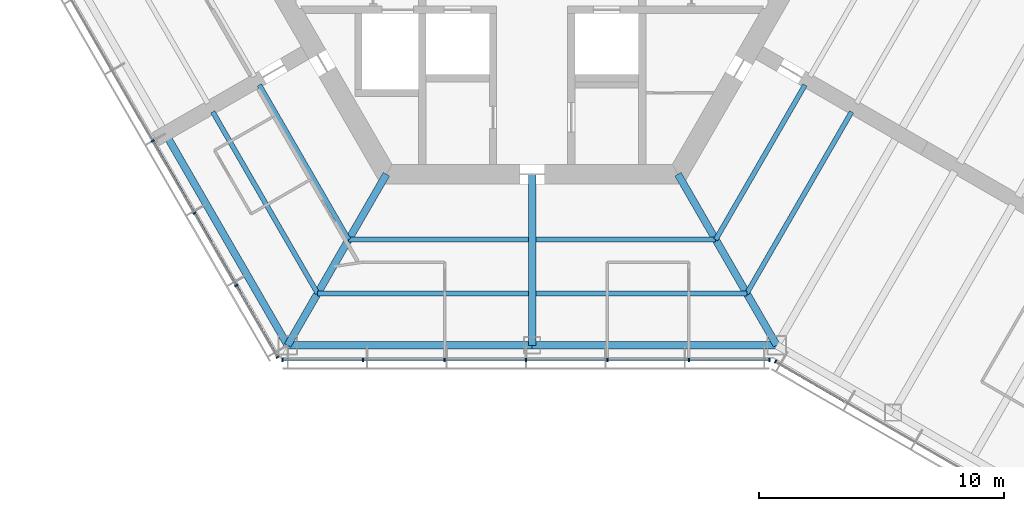
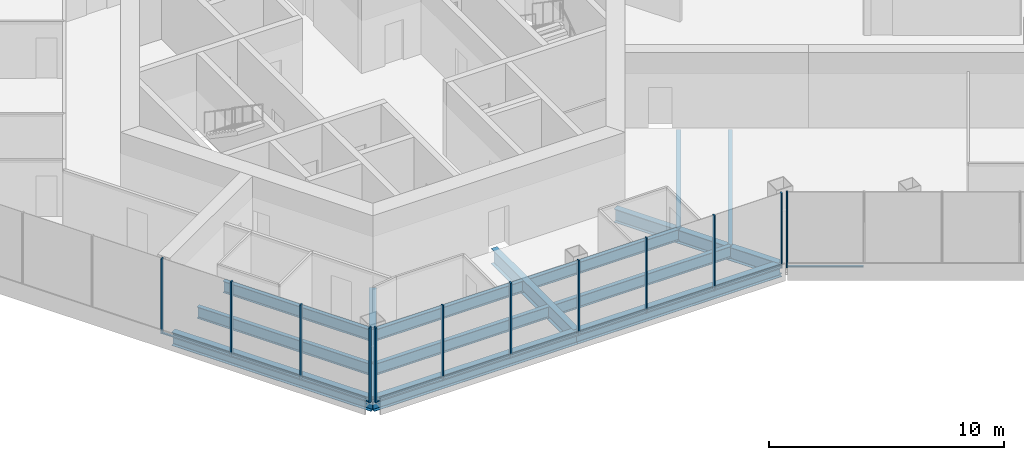
# One storey, part 2 of 16: 22 members, 14 beams, 3 elements without a shape of their own.
"""IFC4 building model written with IfcOpenShell, lengths in metres."""

import ifcopenshell
import ifcopenshell.guid

model = None  # the IFC model being written
_history = None  # IfcOwnerHistory: only IFC2X3 demands one
_inside = {}  # id of a spatial element -> (the spatial element, [elements in it])
_under = {}  # id of a project, library or spatial element -> (it, [spatial elements below it])
_declared = {}  # id of a project -> (the project, [libraries it declares])
_typed = {}  # id of a type object -> (the type object, [elements of that type])
_made_of = {}  # id of a material, layer set ... -> (it, [elements and type objects made of it])


def new_model(schema):
    """Start an empty IFC model of exactly this schema.

    Asked for "IFC4X3", IfcOpenShell would pick the latest addendum, in which some entities
    have other attributes; the version numbers below select the first issue.
    IFC2X3 requires an IfcOwnerHistory on every rooted entity: one is made here for all.
    """
    global model, _history
    if schema == "IFC4X3":
        model = ifcopenshell.file(schema_version=(4, 3, 0, 0))
    else:
        model = ifcopenshell.file(schema=schema)
    _inside.clear()
    _under.clear()
    _declared.clear()
    _typed.clear()
    _made_of.clear()
    _history = None
    if model.schema == "IFC2X3":
        org = make("IfcOrganization", Name="unknown")
        user = make(
            "IfcPersonAndOrganization",
            ThePerson=make("IfcPerson", FamilyName="unknown"),
            TheOrganization=org,
        )
        app = make(
            "IfcApplication",
            ApplicationDeveloper=org,
            Version="unknown",
            ApplicationFullName="unknown",
            ApplicationIdentifier="unknown",
        )
        _history = make(
            "IfcOwnerHistory",
            OwningUser=user,
            OwningApplication=app,
            ChangeAction="ADDED",
            CreationDate=0,
        )
    return model


def make(cls, **values):
    """One entity of the class cls with the attributes given. An attribute that is None is left unset."""
    return model.create_entity(
        cls, **{name: value for name, value in values.items() if value is not None}
    )


def rooted(cls, **values):
    """An entity with a GlobalId (a new one), such as an element, a storey or a relation."""
    return make(cls, GlobalId=ifcopenshell.guid.new(), OwnerHistory=_history, **values)


def si_unit(unit_type, name, prefix=None):
    """IfcSIUnit, for example si_unit("LENGTHUNIT", "METRE", prefix="MILLI")."""
    return make("IfcSIUnit", UnitType=unit_type, Prefix=prefix, Name=name)


def assignment(units):
    """IfcUnitAssignment: the units of a project."""
    return None if units is None else make("IfcUnitAssignment", Units=units)


def point(xyz):
    """IfcCartesianPoint."""
    return None if xyz is None else make("IfcCartesianPoint", Coordinates=xyz)


def direction(xyz):
    """IfcDirection."""
    return None if xyz is None else make("IfcDirection", DirectionRatios=xyz)


def frame(location, z_axis=None, x_axis=None):
    """IfcAxis2Placement3D, a coordinate frame: its origin and axes. An axis left out is left unset."""
    return make(
        "IfcAxis2Placement3D",
        Location=point(location),
        Axis=direction(z_axis),
        RefDirection=direction(x_axis),
    )


def frame_2d(location, x_axis=None):
    """IfcAxis2Placement2D, a coordinate frame in the plane: its origin and x axis."""
    return make(
        "IfcAxis2Placement2D", Location=point(location), RefDirection=direction(x_axis)
    )


def origin():
    """The frame at (0, 0, 0) with its axes left unset."""
    return frame((0.0, 0.0, 0.0))


def origin_2d():
    """The frame at (0, 0) in the plane with its x axis left unset."""
    return frame_2d((0.0, 0.0))


def place(relative_to, where):
    """IfcLocalPlacement: puts the frame where relative to a parent placement (None: the world)."""
    return make(
        "IfcLocalPlacement", PlacementRelTo=relative_to, RelativePlacement=where
    )


def context(
    kind, dimensions, precision=None, world=None, true_north=None, identifier=None
):
    """IfcGeometricRepresentationContext, for example the 3D "Model" context."""
    return make(
        "IfcGeometricRepresentationContext",
        ContextIdentifier=identifier,
        ContextType=kind,
        CoordinateSpaceDimension=dimensions,
        Precision=precision,
        WorldCoordinateSystem=world,
        TrueNorth=true_north,
    )


def subcontext(parent, identifier, kind, view, scale=None):
    """IfcGeometricRepresentationSubContext, for example "Body" below "Model"."""
    return make(
        "IfcGeometricRepresentationSubContext",
        ContextIdentifier=identifier,
        ContextType=kind,
        ParentContext=parent,
        TargetScale=scale,
        TargetView=view,
    )


def project(units=None, contexts=None):
    """IfcProject with its units and contexts."""
    return rooted(
        "IfcProject",
        Name="project",
        RepresentationContexts=contexts,
        UnitsInContext=assignment(units),
    )


def spatial(cls, under=None, at=None, **own):
    """A site, building, storey or space (cls), placed at a placement, below another one or the project."""
    s = rooted(cls, ObjectPlacement=at, **own)
    if under is not None:
        _under.setdefault(under.id(), (under, []))[1].append(s)
    return s


def profile(cls, at=None, kind="AREA", **sizes):
    """A parametric profile (cls). Its sizes go by their IFC names, for example OverallWidth=200.0."""
    return make(cls, ProfileType=kind, Position=at, **sizes)


def rectangle(**sizes):
    """IfcRectangleProfileDef."""
    return profile("IfcRectangleProfileDef", **sizes)


def i_section(**sizes):
    """IfcIShapeProfileDef."""
    return profile("IfcIShapeProfileDef", **sizes)


def extrude(swept, where, along, depth):
    """IfcExtrudedAreaSolid: the profile swept, set in the frame where, extruded along a direction by depth."""
    return make(
        "IfcExtrudedAreaSolid",
        SweptArea=swept,
        Position=where,
        ExtrudedDirection=direction(along),
        Depth=depth,
    )


def shape(context_of_items, identifier, shape_type, items):
    """IfcShapeRepresentation: the items that make up one representation, for example the "Body"."""
    return make(
        "IfcShapeRepresentation",
        ContextOfItems=context_of_items,
        RepresentationIdentifier=identifier,
        RepresentationType=shape_type,
        Items=items,
    )


def material(Name=None, Category=None):
    """IfcMaterial."""
    return make("IfcMaterial", Name=Name, Category=Category)


def material_profile(
    of_material, cross_section, Name=None, Category=None, Priority=None
):
    """IfcMaterialProfile: a cross section and its material."""
    return make(
        "IfcMaterialProfile",
        Name=Name,
        Material=of_material,
        Profile=cross_section,
        Priority=Priority,
        Category=Category,
    )


def profile_set(profiles, Name=None, composite=None):
    """IfcMaterialProfileSet."""
    return make(
        "IfcMaterialProfileSet",
        Name=Name,
        MaterialProfiles=profiles,
        CompositeProfile=composite,
    )


def made_of(thing, what):
    """Note that an element or type object is made of a material, layer set ...; save() writes the relation."""
    if what is not None:
        _made_of.setdefault(what.id(), (what, []))[1].append(thing)
    return thing


def type_object(cls, material=None, **own):
    """A type object (cls), such as IfcWallType, which elements share."""
    return made_of(rooted(cls, **own), material)


def element(
    cls,
    number,
    at=None,
    inside=None,
    cuts=None,
    type_object=None,
    material=None,
    context=None,
    identifier="Body",
    shape_type=None,
    held_by="IfcProductDefinitionShape",
    body=None,
    shapes=None,
    **own,
):
    """One element of the class cls, such as IfcWall. Its Tag is "e" and its number.

    at: its placement. inside: the storey or other place that contains it. cuts: it is an
    opening in that element (IfcRelVoidsElement). A single representation is given by context,
    identifier, shape_type and body (its items); several are given by shapes. held_by: the class
    of the entity that holds the representations. save() writes the other relations.
    """
    e = rooted(cls, Tag="e%d" % number, ObjectPlacement=at, **own)
    if body is not None:
        shapes = [shape(context, identifier, shape_type, body)]
    if shapes is not None:
        e.Representation = make(held_by, Representations=shapes)
    if inside is not None:
        _inside.setdefault(inside.id(), (inside, []))[1].append(e)
    if cuts is not None:
        rooted(
            "IfcRelVoidsElement", RelatingBuildingElement=cuts, RelatedOpeningElement=e
        )
    if type_object is not None:
        _typed.setdefault(type_object.id(), (type_object, []))[1].append(e)
    return made_of(e, material)


def aggregate(whole, parts):
    """IfcRelAggregates: a whole, such as a stair, and the parts it consists of."""
    return rooted("IfcRelAggregates", RelatingObject=whole, RelatedObjects=parts)


def save(model, path):
    """Write the relations noted so far, then the file.

    IfcRelAggregates (storeys below a building ...), IfcRelContainedInSpatialStructure (elements
    in a storey), IfcRelDefinesByType, IfcRelAssociatesMaterial and IfcRelDeclares: one each for
    every whole, place, type object, material and project.
    """
    for whole, parts in _under.values():
        aggregate(whole, parts)
    for where, things in _inside.values():
        rooted(
            "IfcRelContainedInSpatialStructure",
            RelatedElements=things,
            RelatingStructure=where,
        )
    for kind, things in _typed.values():
        rooted("IfcRelDefinesByType", RelatedObjects=things, RelatingType=kind)
    for what, things in _made_of.values():
        rooted("IfcRelAssociatesMaterial", RelatedObjects=things, RelatingMaterial=what)
    for by, libraries in _declared.values():
        rooted("IfcRelDeclares", RelatingContext=by, RelatedDefinitions=libraries)
    model.write(path)


model = new_model("IFC4")

# Units and contexts
model_context = context("Model", 3, precision=1e-05, world=origin(), true_north=direction((0.0, 1.0)))
body_context = subcontext(model_context, "Body", "Model", "MODEL_VIEW")
ifc_project = project(units=[si_unit("LENGTHUNIT", "METRE"), si_unit("AREAUNIT", "SQUARE_METRE"), si_unit("VOLUMEUNIT", "CUBIC_METRE"), si_unit("PLANEANGLEUNIT", "RADIAN"), si_unit("MASSUNIT", "GRAM", prefix="KILO")], contexts=[model_context])

# Site, building, storey
site_placement = place(None, origin())
site = spatial("IfcSite", under=ifc_project, at=site_placement, CompositionType="ELEMENT")
building_placement = place(site_placement, origin())
building = spatial("IfcBuilding", under=site, at=building_placement, Name="Kasaneha Research Tower", CompositionType="ELEMENT")
storey_placement = place(building_placement, frame((0.0, 0.0, 263.5)))
storey = spatial("IfcBuildingStorey", under=building, at=storey_placement, Name="L66", CompositionType="ELEMENT", Elevation=263.5)

# Beams
ifc_material_1 = material(Name="Steel SN490B", Category="steel")
ifc_material_profile_1 = material_profile(ifc_material_1, i_section(OverallWidth=0.199951171875, OverallDepth=0.60009765625, WebThickness=0.010986328125, FlangeThickness=0.01708984375, FilletRadius=0.012939453125, at=origin_2d()), Name="H-600x200x11x17")
ifc_profile_set_1 = profile_set([ifc_material_profile_1], Name="Steel SN490B")
beam_type_1 = type_object("IfcBeamType", Name="B1-3 secondary beam H-600x200x11x17", PredefinedType="JOIST", material=ifc_profile_set_1)
beam_1_placement = place(storey_placement, frame((-7.505615234375, -13.0, -0.449951171875), z_axis=(-0.499999192304, 0.866025870108, 0.0), x_axis=(-0.866025870108, -0.499999192304, 0.0)))
element("IfcBeam", 1, at=beam_1_placement, inside=storey, type_object=beam_type_1, Name="Secondary beam RS210R1 L66", PredefinedType="JOIST", context=body_context, shape_type="SweptSolid", body=[
    extrude(i_section(OverallWidth=0.199951171875, OverallDepth=0.60009765625, WebThickness=0.010986328125, FlangeThickness=0.01708984375, FilletRadius=0.012939453125, at=origin_2d()), origin(), (0.0, 0.0, 1.0), 7.3056640625),
])
beam_2_placement = place(storey_placement, frame((-8.775634765625, -15.199951171875, -0.449951171875), z_axis=(-0.500000102728, 0.866025344474, 0.0), x_axis=(-0.866025344474, -0.500000102728, 0.0)))
element("IfcBeam", 2, at=beam_2_placement, inside=storey, type_object=beam_type_1, Name="Secondary beam RS210R2 L66", PredefinedType="JOIST", context=body_context, shape_type="SweptSolid", body=[
    extrude(i_section(OverallWidth=0.199951171875, OverallDepth=0.60009765625, WebThickness=0.010986328125, FlangeThickness=0.01708984375, FilletRadius=0.012939453125, at=origin_2d()), origin(), (0.0, 0.0, 1.0), 8.57568359375),
])
beam_3_placement = place(storey_placement, frame((-7.505615234375, -13.0, -0.449951171875), z_axis=(1.0, 0.0, 0.0), x_axis=(0.0, 1.0, 0.0)))
element("IfcBeam", 3, at=beam_3_placement, inside=storey, type_object=beam_type_1, Name="Secondary beam RS270L1 L66", PredefinedType="JOIST", context=body_context, shape_type="SweptSolid", body=[
    extrude(i_section(OverallWidth=0.199951171875, OverallDepth=0.60009765625, WebThickness=0.010986328125, FlangeThickness=0.01708984375, FilletRadius=0.012939453125, at=origin_2d()), origin(), (0.0, 0.0, 1.0), 7.355712890625),
])
beam_4_placement = place(storey_placement, frame((-8.775634765625, -15.199951171875, -0.449951171875), z_axis=(1.0, 0.0, 0.0), x_axis=(0.0, 1.0, 0.0)))
element("IfcBeam", 4, at=beam_4_placement, inside=storey, type_object=beam_type_1, Name="Secondary beam RS270L2 L66", PredefinedType="JOIST", context=body_context, shape_type="SweptSolid", body=[
    extrude(i_section(OverallWidth=0.199951171875, OverallDepth=0.60009765625, WebThickness=0.010986328125, FlangeThickness=0.01708984375, FilletRadius=0.012939453125, at=origin_2d()), origin(), (0.0, 0.0, 1.0), 8.625732421875),
])
beam_5_placement = place(storey_placement, frame((7.505615234375, -13.0, -0.449951171875), z_axis=(-1.0, 0.0, 0.0), x_axis=(0.0, -1.0, 0.0)))
element("IfcBeam", 5, at=beam_5_placement, inside=storey, type_object=beam_type_1, Name="Secondary beam RS270R1 L66", PredefinedType="JOIST", context=body_context, shape_type="SweptSolid", body=[
    extrude(i_section(OverallWidth=0.199951171875, OverallDepth=0.60009765625, WebThickness=0.010986328125, FlangeThickness=0.01708984375, FilletRadius=0.012939453125, at=origin_2d()), origin(), (0.0, 0.0, 1.0), 7.355712890625),
])
beam_6_placement = place(storey_placement, frame((8.775634765625, -15.199951171875, -0.449951171875), z_axis=(-1.0, 0.0, 0.0), x_axis=(0.0, -1.0, 0.0)))
element("IfcBeam", 6, at=beam_6_placement, inside=storey, type_object=beam_type_1, Name="Secondary beam RS270R2 L66", PredefinedType="JOIST", context=body_context, shape_type="SweptSolid", body=[
    extrude(i_section(OverallWidth=0.199951171875, OverallDepth=0.60009765625, WebThickness=0.010986328125, FlangeThickness=0.01708984375, FilletRadius=0.012939453125, at=origin_2d()), origin(), (0.0, 0.0, 1.0), 8.625732421875),
])
beam_7_placement = place(storey_placement, frame((7.505615234375, -13.0, -0.449951171875), z_axis=(0.499999192304, 0.866025870108, 0.0), x_axis=(-0.866025870108, 0.499999192304, 0.0)))
element("IfcBeam", 7, at=beam_7_placement, inside=storey, type_object=beam_type_1, Name="Secondary beam RS330L1 L66", PredefinedType="JOIST", context=body_context, shape_type="SweptSolid", body=[
    extrude(i_section(OverallWidth=0.199951171875, OverallDepth=0.60009765625, WebThickness=0.010986328125, FlangeThickness=0.01708984375, FilletRadius=0.012939453125, at=origin_2d()), origin(), (0.0, 0.0, 1.0), 7.3056640625),
])
beam_8_placement = place(storey_placement, frame((8.775634765625, -15.199951171875, -0.449951171875), z_axis=(0.500000102728, 0.866025344474, 0.0), x_axis=(-0.866025344474, 0.500000102728, 0.0)))
element("IfcBeam", 8, at=beam_8_placement, inside=storey, type_object=beam_type_1, Name="Secondary beam RS330L2 L66", PredefinedType="JOIST", context=body_context, shape_type="SweptSolid", body=[
    extrude(i_section(OverallWidth=0.199951171875, OverallDepth=0.60009765625, WebThickness=0.010986328125, FlangeThickness=0.01708984375, FilletRadius=0.012939453125, at=origin_2d()), origin(), (0.0, 0.0, 1.0), 8.57568359375),
])

# Curtain wall, members
ifc_material_2 = material(Name="Glass and aluminium", Category="aluminium")
curtain_wall_type = type_object("IfcCurtainWallType", Name="High-rise office curtain wall", PredefinedType="USERDEFINED", material=ifc_material_2)
curtain_wall_1_placement = place(storey_placement, origin())
curtain_wall_1 = element("IfcCurtainWall", 9, at=curtain_wall_1_placement, inside=storey, type_object=curtain_wall_type, Name="CW-O3 L66 run 04a", ObjectType="UNITISED CURTAIN WALL", PredefinedType="USERDEFINED")
ifc_material_3 = material(Name="Aluminium 6063-T6", Category="aluminium")
ifc_material_profile_2 = material_profile(ifc_material_3, rectangle(XDim=0.06005859375, YDim=0.139892578125, at=origin_2d()), Name="CW-O3 mullion 60x140")
ifc_profile_set_2 = profile_set([ifc_material_profile_2], Name="Aluminium 6063-T6")
member_type_1 = type_object("IfcMemberType", Name="CW-O3 mullion", PredefinedType="MULLION", material=ifc_profile_set_2)
member_1_placement = place(storey_placement, frame((-15.51953125, -8.960205078125, 0.0), z_axis=(0.0, 0.0, 1.0), x_axis=(0.499999995722, -0.866025406254, 0.0)))
member_1 = element("IfcMember", 10, at=member_1_placement, type_object=member_type_1, Name="CW-O3 mullion 4", PredefinedType="MULLION", context=body_context, shape_type="SweptSolid", body=[
    extrude(rectangle(XDim=0.06005859375, YDim=0.139892578125, at=origin_2d()), origin(), (0.0, 0.0, 1.0), 3.89990234375),
])
member_2_placement = place(storey_placement, frame((-13.811767578125, -11.918212890625, 0.0), z_axis=(0.0, 0.0, 1.0), x_axis=(0.499999995722, -0.866025406254, 0.0)))
member_2 = element("IfcMember", 11, at=member_2_placement, type_object=member_type_1, Name="CW-O3 mullion 5", PredefinedType="MULLION", context=body_context, shape_type="SweptSolid", body=[
    extrude(rectangle(XDim=0.06005859375, YDim=0.139892578125, at=origin_2d()), origin(), (0.0, 0.0, 1.0), 3.89990234375),
])
member_3_placement = place(storey_placement, frame((-12.104248046875, -14.8759765625, 0.0), z_axis=(0.0, 0.0, 1.0), x_axis=(0.499999995722, -0.866025406254, 0.0)))
member_3 = element("IfcMember", 12, at=member_3_placement, type_object=member_type_1, Name="CW-O3 mullion 6", PredefinedType="MULLION", context=body_context, shape_type="SweptSolid", body=[
    extrude(rectangle(XDim=0.06005859375, YDim=0.139892578125, at=origin_2d()), origin(), (0.0, 0.0, 1.0), 3.89990234375),
])
member_4_placement = place(storey_placement, frame((-10.411376953125, -17.807861328125, 0.0), z_axis=(0.0, 0.0, 1.0), x_axis=(0.499999995722, -0.866025406254, 0.0)))
member_4 = element("IfcMember", 13, at=member_4_placement, type_object=member_type_1, Name="CW-O3 mullion 7", PredefinedType="MULLION", context=body_context, shape_type="SweptSolid", body=[
    extrude(rectangle(XDim=0.06005859375, YDim=0.139892578125, at=origin_2d()), origin(), (0.0, 0.0, 1.0), 3.89990234375),
])

curtain_wall_2_placement = place(storey_placement, origin())
curtain_wall_2 = element("IfcCurtainWall", 14, at=curtain_wall_2_placement, inside=storey, type_object=curtain_wall_type, Name="CW-O3 L66 run 05a", ObjectType="UNITISED CURTAIN WALL", PredefinedType="USERDEFINED")
member_5_placement = place(storey_placement, frame((-10.21630859375, -17.92041015625, 0.0), z_axis=(0.0, 0.0, 1.0), x_axis=(1.0, 0.0, 0.0)))
member_5 = element("IfcMember", 15, at=member_5_placement, type_object=member_type_1, Name="CW-O3 mullion 1", PredefinedType="MULLION", context=body_context, shape_type="SweptSolid", body=[
    extrude(rectangle(XDim=0.06005859375, YDim=0.139892578125, at=origin_2d()), origin(), (0.0, 0.0, 1.0), 3.89990234375),
])
member_6_placement = place(storey_placement, frame((-6.91552734375, -17.92041015625, 0.0), z_axis=(0.0, 0.0, 1.0), x_axis=(1.0, 0.0, 0.0)))
member_6 = element("IfcMember", 16, at=member_6_placement, type_object=member_type_1, Name="CW-O3 mullion 2", PredefinedType="MULLION", context=body_context, shape_type="SweptSolid", body=[
    extrude(rectangle(XDim=0.06005859375, YDim=0.139892578125, at=origin_2d()), origin(), (0.0, 0.0, 1.0), 3.89990234375),
])
member_7_placement = place(storey_placement, frame((-3.58447265625, -17.92041015625, 0.0), z_axis=(0.0, 0.0, 1.0), x_axis=(1.0, 0.0, 0.0)))
member_7 = element("IfcMember", 17, at=member_7_placement, type_object=member_type_1, Name="CW-O3 mullion 3", PredefinedType="MULLION", context=body_context, shape_type="SweptSolid", body=[
    extrude(rectangle(XDim=0.06005859375, YDim=0.139892578125, at=origin_2d()), origin(), (0.0, 0.0, 1.0), 3.89990234375),
])
member_8_placement = place(storey_placement, frame((-0.253662109375, -17.92041015625, 0.0), z_axis=(0.0, 0.0, 1.0), x_axis=(1.0, 0.0, 0.0)))
member_8 = element("IfcMember", 18, at=member_8_placement, type_object=member_type_1, Name="CW-O3 mullion 4", PredefinedType="MULLION", context=body_context, shape_type="SweptSolid", body=[
    extrude(rectangle(XDim=0.06005859375, YDim=0.139892578125, at=origin_2d()), origin(), (0.0, 0.0, 1.0), 3.89990234375),
])
member_9_placement = place(storey_placement, frame((3.077392578125, -17.92041015625, 0.0), z_axis=(0.0, 0.0, 1.0), x_axis=(1.0, 0.0, 0.0)))
member_9 = element("IfcMember", 19, at=member_9_placement, type_object=member_type_1, Name="CW-O3 mullion 5", PredefinedType="MULLION", context=body_context, shape_type="SweptSolid", body=[
    extrude(rectangle(XDim=0.06005859375, YDim=0.139892578125, at=origin_2d()), origin(), (0.0, 0.0, 1.0), 3.89990234375),
])
member_10_placement = place(storey_placement, frame((6.408203125, -17.92041015625, 0.0), z_axis=(0.0, 0.0, 1.0), x_axis=(1.0, 0.0, 0.0)))
member_10 = element("IfcMember", 20, at=member_10_placement, type_object=member_type_1, Name="CW-O3 mullion 6", PredefinedType="MULLION", context=body_context, shape_type="SweptSolid", body=[
    extrude(rectangle(XDim=0.06005859375, YDim=0.139892578125, at=origin_2d()), origin(), (0.0, 0.0, 1.0), 3.89990234375),
])
member_11_placement = place(storey_placement, frame((9.709228515625, -17.92041015625, 0.0), z_axis=(0.0, 0.0, 1.0), x_axis=(1.0, 0.0, 0.0)))
member_11 = element("IfcMember", 21, at=member_11_placement, type_object=member_type_1, Name="CW-O3 mullion 7", PredefinedType="MULLION", context=body_context, shape_type="SweptSolid", body=[
    extrude(rectangle(XDim=0.06005859375, YDim=0.139892578125, at=origin_2d()), origin(), (0.0, 0.0, 1.0), 3.89990234375),
])

# Curtain wall, member
curtain_wall_3_placement = place(storey_placement, origin())
curtain_wall_3 = element("IfcCurtainWall", 22, at=curtain_wall_3_placement, inside=storey, type_object=curtain_wall_type, Name="CW-O3 L66 run 06a", ObjectType="UNITISED CURTAIN WALL", PredefinedType="USERDEFINED")
member_12_placement = place(storey_placement, frame((9.951904296875, -17.985595703125, 0.0), z_axis=(0.0, 0.0, 1.0), x_axis=(0.866025411464, -0.499999986699, 0.0)))
member_12 = element("IfcMember", 23, at=member_12_placement, type_object=member_type_1, Name="CW-O3 mullion 1", PredefinedType="MULLION", context=body_context, shape_type="SweptSolid", body=[
    extrude(rectangle(XDim=0.06005859375, YDim=0.139892578125, at=origin_2d()), origin(), (0.0, 0.0, 1.0), 3.89990234375),
])

# Member
ifc_material_4 = material(Name="Aluminium 6063-T6", Category="aluminium")
ifc_material_profile_3 = material_profile(ifc_material_4, rectangle(XDim=0.10009765625, YDim=0.06005859375, at=origin_2d()), Name="CW-O3 transom 100x60")
ifc_profile_set_3 = profile_set([ifc_material_profile_3], Name="Aluminium 6063-T6")
member_type_2 = type_object("IfcMemberType", Name="CW-O3 transom", PredefinedType="USERDEFINED", material=ifc_profile_set_3)
member_13_placement = place(storey_placement, frame((-15.504638671875, -8.986328125, 0.030029296875), z_axis=(0.500020578564, -0.866013522419, 0.0), x_axis=(0.866013522419, 0.500020578564, 0.0)))
member_13 = element("IfcMember", 24, at=member_13_placement, type_object=member_type_2, Name="CW-O3 transom 4", ObjectType="TRANSOM", PredefinedType="USERDEFINED", context=body_context, shape_type="SweptSolid", body=[
    extrude(rectangle(XDim=0.10009765625, YDim=0.06005859375, at=origin_2d()), origin(), (0.0, 0.0, 1.0), 3.355224609375),
])

member_14_placement = place(storey_placement, frame((-13.796875, -11.944091796875, 0.030029296875), z_axis=(0.499989072476, -0.866031712701, 0.0), x_axis=(0.866031712701, 0.499989072476, 0.0)))
member_14 = element("IfcMember", 25, at=member_14_placement, type_object=member_type_2, Name="CW-O3 transom 5", ObjectType="TRANSOM", PredefinedType="USERDEFINED", context=body_context, shape_type="SweptSolid", body=[
    extrude(rectangle(XDim=0.10009765625, YDim=0.06005859375, at=origin_2d()), origin(), (0.0, 0.0, 1.0), 3.35546875),
])

member_15_placement = place(storey_placement, frame((-12.089111328125, -14.902099609375, 0.030029296875), z_axis=(0.49997666526, -0.866038875684, 0.0), x_axis=(0.866038875684, 0.49997666526, 0.0)))
member_15 = element("IfcMember", 26, at=member_15_placement, type_object=member_type_2, Name="CW-O3 transom 6", ObjectType="TRANSOM", PredefinedType="USERDEFINED", context=body_context, shape_type="SweptSolid", body=[
    extrude(rectangle(XDim=0.10009765625, YDim=0.06005859375, at=origin_2d()), origin(), (0.0, 0.0, 1.0), 3.325439453125),
])

aggregate(curtain_wall_1, [member_1, member_2, member_3, member_4, member_13, member_14, member_15])

member_16_placement = place(storey_placement, frame((-10.1865234375, -17.92041015625, 0.030029296875), z_axis=(1.0, 0.0, 0.0), x_axis=(0.0, 1.0, 0.0)))
member_16 = element("IfcMember", 27, at=member_16_placement, type_object=member_type_2, Name="CW-O3 transom 1", ObjectType="TRANSOM", PredefinedType="USERDEFINED", context=body_context, shape_type="SweptSolid", body=[
    extrude(rectangle(XDim=0.10009765625, YDim=0.06005859375, at=origin_2d()), origin(), (0.0, 0.0, 1.0), 3.240966796875),
])

member_17_placement = place(storey_placement, frame((-6.885498046875, -17.92041015625, 0.030029296875), z_axis=(1.0, 0.0, 0.0), x_axis=(0.0, 1.0, 0.0)))
member_17 = element("IfcMember", 28, at=member_17_placement, type_object=member_type_2, Name="CW-O3 transom 2", ObjectType="TRANSOM", PredefinedType="USERDEFINED", context=body_context, shape_type="SweptSolid", body=[
    extrude(rectangle(XDim=0.10009765625, YDim=0.06005859375, at=origin_2d()), origin(), (0.0, 0.0, 1.0), 3.27099609375),
])

member_18_placement = place(storey_placement, frame((-3.554443359375, -17.92041015625, 0.030029296875), z_axis=(1.0, 0.0, 0.0), x_axis=(0.0, 1.0, 0.0)))
member_18 = element("IfcMember", 29, at=member_18_placement, type_object=member_type_2, Name="CW-O3 transom 3", ObjectType="TRANSOM", PredefinedType="USERDEFINED", context=body_context, shape_type="SweptSolid", body=[
    extrude(rectangle(XDim=0.10009765625, YDim=0.06005859375, at=origin_2d()), origin(), (0.0, 0.0, 1.0), 3.270751953125),
])

member_19_placement = place(storey_placement, frame((-0.2236328125, -17.92041015625, 0.030029296875), z_axis=(1.0, 0.0, 0.0), x_axis=(0.0, 1.0, 0.0)))
member_19 = element("IfcMember", 30, at=member_19_placement, type_object=member_type_2, Name="CW-O3 transom 4", ObjectType="TRANSOM", PredefinedType="USERDEFINED", context=body_context, shape_type="SweptSolid", body=[
    extrude(rectangle(XDim=0.10009765625, YDim=0.06005859375, at=origin_2d()), origin(), (0.0, 0.0, 1.0), 3.27099609375),
])

member_20_placement = place(storey_placement, frame((3.107421875, -17.92041015625, 0.030029296875), z_axis=(1.0, 0.0, 0.0), x_axis=(0.0, 1.0, 0.0)))
member_20 = element("IfcMember", 31, at=member_20_placement, type_object=member_type_2, Name="CW-O3 transom 5", ObjectType="TRANSOM", PredefinedType="USERDEFINED", context=body_context, shape_type="SweptSolid", body=[
    extrude(rectangle(XDim=0.10009765625, YDim=0.06005859375, at=origin_2d()), origin(), (0.0, 0.0, 1.0), 3.270751953125),
])

member_21_placement = place(storey_placement, frame((6.438232421875, -17.92041015625, 0.030029296875), z_axis=(1.0, 0.0, 0.0), x_axis=(0.0, 1.0, 0.0)))
member_21 = element("IfcMember", 32, at=member_21_placement, type_object=member_type_2, Name="CW-O3 transom 6", ObjectType="TRANSOM", PredefinedType="USERDEFINED", context=body_context, shape_type="SweptSolid", body=[
    extrude(rectangle(XDim=0.10009765625, YDim=0.06005859375, at=origin_2d()), origin(), (0.0, 0.0, 1.0), 3.240966796875),
])

aggregate(curtain_wall_2, [member_5, member_6, member_7, member_8, member_9, member_10, member_11, member_16, member_17, member_18, member_19, member_20, member_21])

member_22_placement = place(storey_placement, frame((9.977783203125, -18.00048828125, 0.030029296875), z_axis=(0.866022692473, -0.500004696101, 0.0), x_axis=(0.500004696101, 0.866022692473, 0.0)))
member_22 = element("IfcMember", 33, at=member_22_placement, type_object=member_type_2, Name="CW-O3 transom 1", ObjectType="TRANSOM", PredefinedType="USERDEFINED", context=body_context, shape_type="SweptSolid", body=[
    extrude(rectangle(XDim=0.10009765625, YDim=0.06005859375, at=origin_2d()), origin(), (0.0, 0.0, 1.0), 3.2197265625),
])

aggregate(curtain_wall_3, [member_12, member_22])

# Beams
ifc_material_5 = material(Name="Steel SN490B", Category="steel")
ifc_material_profile_4 = material_profile(ifc_material_5, i_section(OverallWidth=0.300048828125, OverallDepth=0.699951171875, WebThickness=0.012939453125, FlangeThickness=0.02392578125, FilletRadius=0.01806640625, at=origin_2d()), Name="H-700x300x13x24")
ifc_profile_set_4 = profile_set([ifc_material_profile_4], Name="Steel SN490B")
beam_type_2 = type_object("IfcBeamType", Name="G1-3 radial girder H-700x300x13x24", PredefinedType="BEAM", material=ifc_profile_set_4)
for number, where, z_axis, x_axis, name in (
    (34, (-5.961181640625, -10.324951171875, -0.5), (-0.49999105496, -0.866030568144, 0.0), (0.866030568144, -0.49999105496, 0.0), "Radial girder RV240 L66"),
    (35, (5.961181640625, -10.324951171875, -0.5), (0.49999105496, -0.866030568144, 0.0), (0.866030568144, 0.49999105496, 0.0), "Radial girder RV300 L66"),
):
    element("IfcBeam", number, at=place(storey_placement, frame(where, z_axis=z_axis, x_axis=x_axis)), inside=storey, type_object=beam_type_2, Name=name, PredefinedType="BEAM", context=body_context, shape_type="SweptSolid", body=[
        extrude(i_section(OverallWidth=0.300048828125, OverallDepth=0.699951171875, WebThickness=0.012939453125, FlangeThickness=0.02392578125, FilletRadius=0.01806640625, at=origin_2d()), origin(), (0.0, 0.0, 1.0), 8.077880859375),
    ])
ifc_material_6 = material(Name="Steel SN490B", Category="steel")
ifc_material_profile_5 = material_profile(ifc_material_6, i_section(OverallWidth=0.300048828125, OverallDepth=0.800048828125, WebThickness=0.013916015625, FlangeThickness=0.02587890625, FilletRadius=0.01806640625, at=origin_2d()), Name="H-800x300x14x26")
ifc_profile_set_5 = profile_set([ifc_material_profile_5], Name="Steel SN490B")
beam_type_3 = type_object("IfcBeamType", Name="G2-3 radial girder H-800x300x14x26", PredefinedType="BEAM", material=ifc_profile_set_5)
beam_9_placement = place(storey_placement, frame((0.0, -10.324951171875, -0.550048828125), z_axis=(0.0, -1.0, 0.0), x_axis=(1.0, 0.0, 0.0)))
element("IfcBeam", 36, at=beam_9_placement, inside=storey, type_object=beam_type_3, Name="Radial girder RM270 L66", PredefinedType="BEAM", context=body_context, shape_type="SweptSolid", body=[
    extrude(i_section(OverallWidth=0.300048828125, OverallDepth=0.800048828125, WebThickness=0.013916015625, FlangeThickness=0.02587890625, FilletRadius=0.01806640625, at=origin_2d()), origin(), (0.0, 0.0, 1.0), 6.99560546875),
])
ifc_material_7 = material(Name="Steel SN490B", Category="steel")
ifc_material_profile_6 = material_profile(ifc_material_7, i_section(OverallWidth=0.300048828125, OverallDepth=0.69189453125, WebThickness=0.012939453125, FlangeThickness=0.02001953125, FilletRadius=0.01806640625, at=origin_2d()), Name="H-692x300x13x20")
ifc_profile_set_6 = profile_set([ifc_material_profile_6], Name="Steel SN490B")
beam_type_4 = type_object("IfcBeamType", Name="G3-3 plate edge girder H-692x300x13x20", PredefinedType="BEAM", material=ifc_profile_set_6)
beam_10_placement = place(storey_placement, frame((-10.0, -17.320556640625, -0.49609375), z_axis=(-0.49999201416, 0.866030014362, 0.0), x_axis=(-0.866030014362, -0.49999201416, 0.0)))
element("IfcBeam", 37, at=beam_10_placement, inside=storey, type_object=beam_type_4, Name="Plate edge girder PEBN L66", PredefinedType="BEAM", context=body_context, shape_type="SweptSolid", body=[
    extrude(i_section(OverallWidth=0.300048828125, OverallDepth=0.69189453125, WebThickness=0.012939453125, FlangeThickness=0.02001953125, FilletRadius=0.01806640625, at=origin_2d()), origin(), (0.0, 0.0, 1.0), 9.800048828125),
])
ifc_material_8 = material(Name="Steel SN490B", Category="steel")
ifc_material_profile_7 = material_profile(ifc_material_8, i_section(OverallWidth=0.300048828125, OverallDepth=0.69189453125, WebThickness=0.012939453125, FlangeThickness=0.02001953125, FilletRadius=0.01806640625, at=origin_2d()), Name="H-692x300x13x20")
ifc_profile_set_7 = profile_set([ifc_material_profile_7], Name="Steel SN490B")
beam_type_5 = type_object("IfcBeamType", Name="SB1-3 spandrel beam H-692x300x13x20", PredefinedType="SPANDREL", material=ifc_profile_set_7)
for number, where, z_axis, x_axis, name in (
    (38, (-10.0, -17.320556640625, -0.49609375), (1.0, 0.0, 0.0), (0.0, 1.0, 0.0), "Spandrel beam SR270L L66"),
    (39, (10.0, -17.320556640625, -0.49609375), (-1.0, 0.0, 0.0), (0.0, -1.0, 0.0), "Spandrel beam SR270R L66"),
):
    element("IfcBeam", number, at=place(storey_placement, frame(where, z_axis=z_axis, x_axis=x_axis)), inside=storey, type_object=beam_type_5, Name=name, PredefinedType="SPANDREL", context=body_context, shape_type="SweptSolid", body=[
        extrude(i_section(OverallWidth=0.300048828125, OverallDepth=0.69189453125, WebThickness=0.012939453125, FlangeThickness=0.02001953125, FilletRadius=0.01806640625, at=origin_2d()), origin(), (0.0, 0.0, 1.0), 10.0),
    ])

save(model, "model.ifc")
